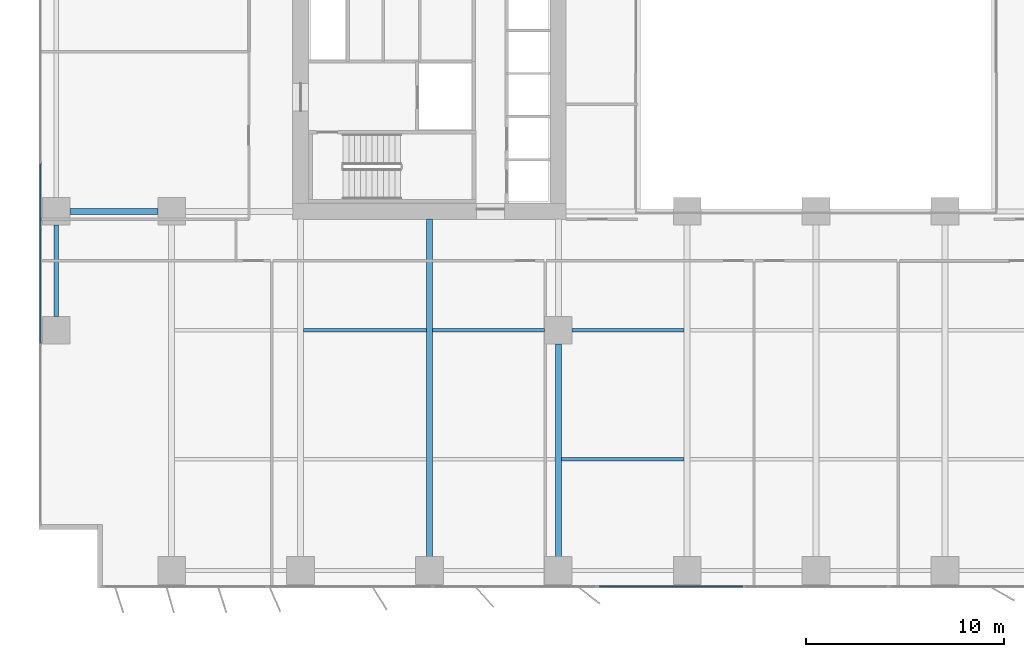
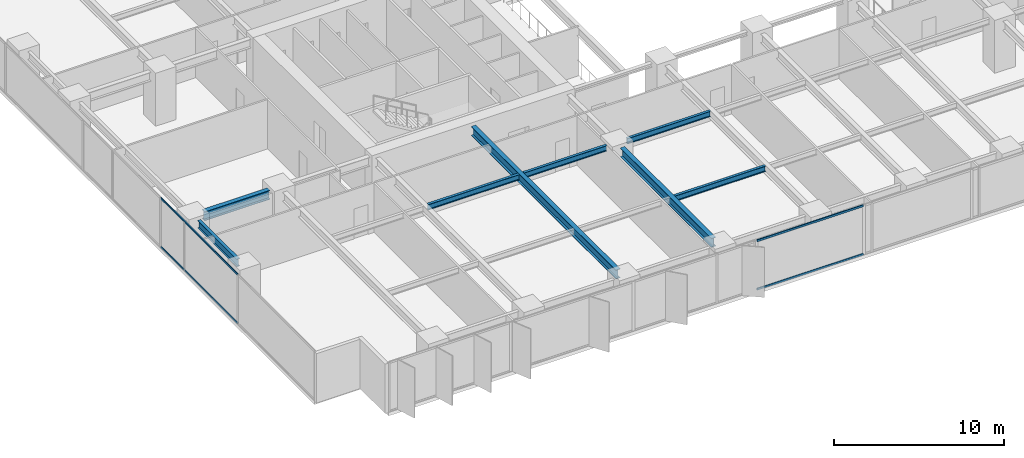
# One storey, part 3 of 20: 8 beams, 4 members, 2 elements without a shape of their own.
"""IFC4 building model written with IfcOpenShell, lengths in metres."""

from ifc_helpers import new_model, si_unit, direction, frame, origin, origin_2d, place, context, subcontext, project, spatial, rectangle, i_section, extrude, material, layer, layer_set, material_profile, profile_set, type_object, element, aggregate, save


model = new_model("IFC4")

# Units and contexts
model_context = context("Model", 3, precision=1e-05, world=origin(), true_north=direction((0.0, 1.0)))
body_context = subcontext(model_context, "Body", "Model", "MODEL_VIEW")
ifc_project = project(units=[si_unit("LENGTHUNIT", "METRE"), si_unit("AREAUNIT", "SQUARE_METRE"), si_unit("VOLUMEUNIT", "CUBIC_METRE"), si_unit("PLANEANGLEUNIT", "RADIAN"), si_unit("MASSUNIT", "GRAM", prefix="KILO")], contexts=[model_context])

# Site, building, storey
site_placement = place(None, origin())
site = spatial("IfcSite", under=ifc_project, at=site_placement, CompositionType="ELEMENT")
building_placement = place(site_placement, origin())
building = spatial("IfcBuilding", under=site, at=building_placement, Name="Putna Gate Headquarters", CompositionType="ELEMENT")
storey_placement = place(building_placement, frame((0.0, 0.0, 73.39990234375)))
storey = spatial("IfcBuildingStorey", under=building, at=storey_placement, Name="L17", CompositionType="ELEMENT", Elevation=73.39990234375)

# Beams
ifc_material_1 = material(Name="Steel S355J2", Category="steel")
ifc_material_profile_1 = material_profile(ifc_material_1, i_section(OverallWidth=0.300048828125, OverallDepth=0.64990234375, WebThickness=0.01611328125, FlangeThickness=0.031005859375, at=origin_2d()), Name="Steel S355J2")
ifc_profile_set_1 = profile_set([ifc_material_profile_1], Name="Steel S355J2")
beam_type_1 = type_object("IfcBeamType", Name="BM-GIRD-Z1-HEB650", PredefinedType="USERDEFINED", material=ifc_profile_set_1)
beam_1_placement = place(storey_placement, frame((1.367919921875, 19.0, 3.22509765625), z_axis=(1.0, 0.0, 0.0), x_axis=(0.0, 1.0, 0.0)))
element("IfcBeam", 1, at=beam_1_placement, inside=storey, type_object=beam_type_1, Name="L17 West Wing Girder Y19-1", ObjectType="GIRDER", PredefinedType="USERDEFINED", context=body_context, shape_type="SweptSolid", body=[
    extrude(i_section(OverallWidth=0.300048828125, OverallDepth=0.64990234375, WebThickness=0.01611328125, FlangeThickness=0.031005859375, at=origin_2d()), origin(), (0.0, 0.0, 1.0), 4.444091796875),
])
beam_2_placement = place(storey_placement, frame((19.5, 1.568115234375, 3.22509765625), z_axis=(0.0, 1.0, 0.0), x_axis=(-1.0, 0.0, 0.0)))
element("IfcBeam", 2, at=beam_2_placement, inside=storey, type_object=beam_type_1, Name="L17 South Primary Girder X19", ObjectType="GIRDER", PredefinedType="USERDEFINED", context=body_context, shape_type="SweptSolid", body=[
    extrude(i_section(OverallWidth=0.300048828125, OverallDepth=0.64990234375, WebThickness=0.01611328125, FlangeThickness=0.031005859375, at=origin_2d()), origin(), (0.0, 0.0, 1.0), 17.046875),
])
beam_3_placement = place(storey_placement, frame((26.0, 1.568115234375, 3.22509765625), z_axis=(0.0, 1.0, 0.0), x_axis=(-1.0, 0.0, 0.0)))
element("IfcBeam", 3, at=beam_3_placement, inside=storey, type_object=beam_type_1, Name="L17 South Primary Girder X26-1", ObjectType="GIRDER", PredefinedType="USERDEFINED", context=body_context, shape_type="SweptSolid", body=[
    extrude(i_section(OverallWidth=0.300048828125, OverallDepth=0.64990234375, WebThickness=0.01611328125, FlangeThickness=0.031005859375, at=origin_2d()), origin(), (0.0, 0.0, 1.0), 10.743896484375),
])
ifc_material_profile_2 = material_profile(ifc_material_1, i_section(OverallWidth=0.179931640625, OverallDepth=0.39990234375, WebThickness=0.008544921875, FlangeThickness=0.013427734375, at=origin_2d()), Name="Steel S355J2")
ifc_profile_set_2 = profile_set([ifc_material_profile_2], Name="Steel S355J2")
beam_type_2 = type_object("IfcBeamType", Name="BM-SEC-Z1-IPE400", PredefinedType="BEAM", material=ifc_profile_set_2)
beam_4_placement = place(storey_placement, frame((13.154052734375, 13.0, 3.35009765625), z_axis=(1.0, 0.0, 0.0), x_axis=(0.0, 1.0, 0.0)))
element("IfcBeam", 4, at=beam_4_placement, inside=storey, type_object=beam_type_2, Name="L17 South Secondary Beam 2", PredefinedType="BEAM", context=body_context, shape_type="SweptSolid", body=[
    extrude(i_section(OverallWidth=0.179931640625, OverallDepth=0.39990234375, WebThickness=0.008544921875, FlangeThickness=0.013427734375, at=origin_2d()), origin(), (0.0, 0.0, 1.0), 6.19189453125),
])
beam_5_placement = place(storey_placement, frame((19.654052734375, 13.0, 3.35009765625), z_axis=(1.0, 0.0, 0.0), x_axis=(0.0, 1.0, 0.0)))
element("IfcBeam", 5, at=beam_5_placement, inside=storey, type_object=beam_type_2, Name="L17 South Secondary Beam 3", PredefinedType="BEAM", context=body_context, shape_type="SweptSolid", body=[
    extrude(i_section(OverallWidth=0.179931640625, OverallDepth=0.39990234375, WebThickness=0.008544921875, FlangeThickness=0.013427734375, at=origin_2d()), origin(), (0.0, 0.0, 1.0), 5.657958984375),
])
beam_6_placement = place(storey_placement, frame((26.154052734375, 6.5, 3.35009765625), z_axis=(1.0, 0.0, 0.0), x_axis=(0.0, 1.0, 0.0)))
element("IfcBeam", 6, at=beam_6_placement, inside=storey, type_object=beam_type_2, Name="L17 South Secondary Beam 4", PredefinedType="BEAM", context=body_context, shape_type="SweptSolid", body=[
    extrude(i_section(OverallWidth=0.179931640625, OverallDepth=0.39990234375, WebThickness=0.008544921875, FlangeThickness=0.013427734375, at=origin_2d()), origin(), (0.0, 0.0, 1.0), 6.19189453125),
])
beam_7_placement = place(storey_placement, frame((26.68798828125, 13.0, 3.35009765625), z_axis=(1.0, 0.0, 0.0), x_axis=(0.0, 1.0, 0.0)))
element("IfcBeam", 7, at=beam_7_placement, inside=storey, type_object=beam_type_2, Name="L17 South Secondary Beam 4", PredefinedType="BEAM", context=body_context, shape_type="SweptSolid", body=[
    extrude(i_section(OverallWidth=0.179931640625, OverallDepth=0.39990234375, WebThickness=0.008544921875, FlangeThickness=0.013427734375, at=origin_2d()), origin(), (0.0, 0.0, 1.0), 5.657958984375),
])
ifc_material_profile_3 = material_profile(ifc_material_1, i_section(OverallWidth=0.2099609375, OverallDepth=0.550048828125, WebThickness=0.010986328125, FlangeThickness=0.01708984375, at=origin_2d()), Name="Steel S355J2")
ifc_profile_set_3 = profile_set([ifc_material_profile_3], Name="Steel S355J2")
beam_type_3 = type_object("IfcBeamType", Name="BM-SPAN-Z1-IPE550", PredefinedType="SPANDREL", material=ifc_profile_set_3)
beam_8_placement = place(storey_placement, frame((0.679931640625, 13.68798828125, 3.275146484375), z_axis=(0.0, 1.0, 0.0), x_axis=(-1.0, 0.0, 0.0)))
element("IfcBeam", 8, at=beam_8_placement, inside=storey, type_object=beam_type_3, Name="L17 W End Spandrel 1", PredefinedType="SPANDREL", context=body_context, shape_type="SweptSolid", body=[
    extrude(i_section(OverallWidth=0.2099609375, OverallDepth=0.550048828125, WebThickness=0.010986328125, FlangeThickness=0.01708984375, at=origin_2d()), origin(), (0.0, 0.0, 1.0), 4.6240234375),
])

# Curtain wall, members
ifc_material_2 = material(Name="Anodised bronze aluminium curtain wall", Category="aluminium")
ifc_layer_1 = layer(ifc_material_2, 0.179931640625)
ifc_layer_set_1 = layer_set([ifc_layer_1], Name="Anodised bronze aluminium curtain wall")
curtain_wall_type_1 = type_object("IfcCurtainWallType", Name="CW-SYS-Z1", PredefinedType="USERDEFINED", material=ifc_layer_set_1)
curtain_wall_1_placement = place(storey_placement, origin())
curtain_wall_1 = element("IfcCurtainWall", 9, at=curtain_wall_1_placement, inside=storey, type_object=curtain_wall_type_1, Name="L17 West Curtain Wall", ObjectType="STICK CURTAIN WALL", PredefinedType="USERDEFINED")
ifc_material_3 = material(Name="Anodised bronze aluminium EN AW-6060", Category="aluminium")
ifc_material_profile_4 = material_profile(ifc_material_3, rectangle(XDim=0.06494140625, YDim=0.1201171875, at=origin_2d()), Name="Anodised bronze aluminium EN AW-6060")
ifc_profile_set_4 = profile_set([ifc_material_profile_4], Name="Anodised bronze aluminium EN AW-6060")
member_type_1 = type_object("IfcMemberType", Name="TRAN-CWT-1", PredefinedType="USERDEFINED", material=ifc_profile_set_4)
member_1_placement = place(storey_placement, frame((-0.1201171875, 12.35498046875, 0.03271484375), z_axis=(0.0, 1.0, 0.0), x_axis=(-1.0, 0.0, 0.0)))
member_1 = element("IfcMember", 10, at=member_1_placement, type_object=member_type_1, Name="CWS-1 transom 2.1", ObjectType="TRANSOM", PredefinedType="USERDEFINED", context=body_context, shape_type="SweptSolid", body=[
    extrude(rectangle(XDim=0.06494140625, YDim=0.1201171875, at=origin_2d()), origin(), (0.0, 0.0, 1.0), 9.050048828125),
])
member_2_placement = place(storey_placement, frame((-0.1201171875, 12.35498046875, 3.517578125), z_axis=(0.0, 1.0, 0.0), x_axis=(-1.0, 0.0, 0.0)))
member_2 = element("IfcMember", 11, at=member_2_placement, type_object=member_type_1, Name="CWS-1 transom 2.2", ObjectType="TRANSOM", PredefinedType="USERDEFINED", context=body_context, shape_type="SweptSolid", body=[
    extrude(rectangle(XDim=0.06494140625, YDim=0.1201171875, at=origin_2d()), origin(), (0.0, 0.0, 1.0), 9.050048828125),
])
aggregate(curtain_wall_1, [member_1, member_2])

ifc_layer_2 = layer(ifc_material_2, 0.179931640625)
ifc_layer_set_2 = layer_set([ifc_layer_2], Name="Anodised bronze aluminium curtain wall")
curtain_wall_type_2 = type_object("IfcCurtainWallType", Name="CW-SYS-ATR", PredefinedType="USERDEFINED", material=ifc_layer_set_2)
curtain_wall_2_placement = place(storey_placement, origin())
curtain_wall_2 = element("IfcCurtainWall", 12, at=curtain_wall_2_placement, inside=storey, type_object=curtain_wall_type_2, Name="L17 South Atrium Clear Glazing", ObjectType="ATRIUM GLAZING", PredefinedType="USERDEFINED")
ifc_material_profile_5 = material_profile(ifc_material_3, rectangle(XDim=0.070068359375, YDim=0.139892578125, at=origin_2d()), Name="Anodised bronze aluminium EN AW-6060")
ifc_profile_set_5 = profile_set([ifc_material_profile_5], Name="Anodised bronze aluminium EN AW-6060")
member_type_2 = type_object("IfcMemberType", Name="TRAN-CWT-AT", PredefinedType="USERDEFINED", material=ifc_profile_set_5)
member_3_placement = place(storey_placement, frame((28.070068359375, 0.080078125, 0.03515625), z_axis=(1.0, 0.0, 0.0), x_axis=(0.0, 1.0, 0.0)))
member_3 = element("IfcMember", 13, at=member_3_placement, type_object=member_type_2, Name="CWS-AT transom 1.1", ObjectType="TRANSOM", PredefinedType="USERDEFINED", context=body_context, shape_type="SweptSolid", body=[
    extrude(rectangle(XDim=0.070068359375, YDim=0.139892578125, at=origin_2d()), origin(), (0.0, 0.0, 1.0), 7.228271484375),
])
member_4_placement = place(storey_placement, frame((28.070068359375, 0.080078125, 3.51513671875), z_axis=(1.0, 0.0, 0.0), x_axis=(0.0, 1.0, 0.0)))
member_4 = element("IfcMember", 14, at=member_4_placement, type_object=member_type_2, Name="CWS-AT transom 1.2", ObjectType="TRANSOM", PredefinedType="USERDEFINED", context=body_context, shape_type="SweptSolid", body=[
    extrude(rectangle(XDim=0.070068359375, YDim=0.139892578125, at=origin_2d()), origin(), (0.0, 0.0, 1.0), 7.228271484375),
])
aggregate(curtain_wall_2, [member_3, member_4])

save(model, "model.ifc")
